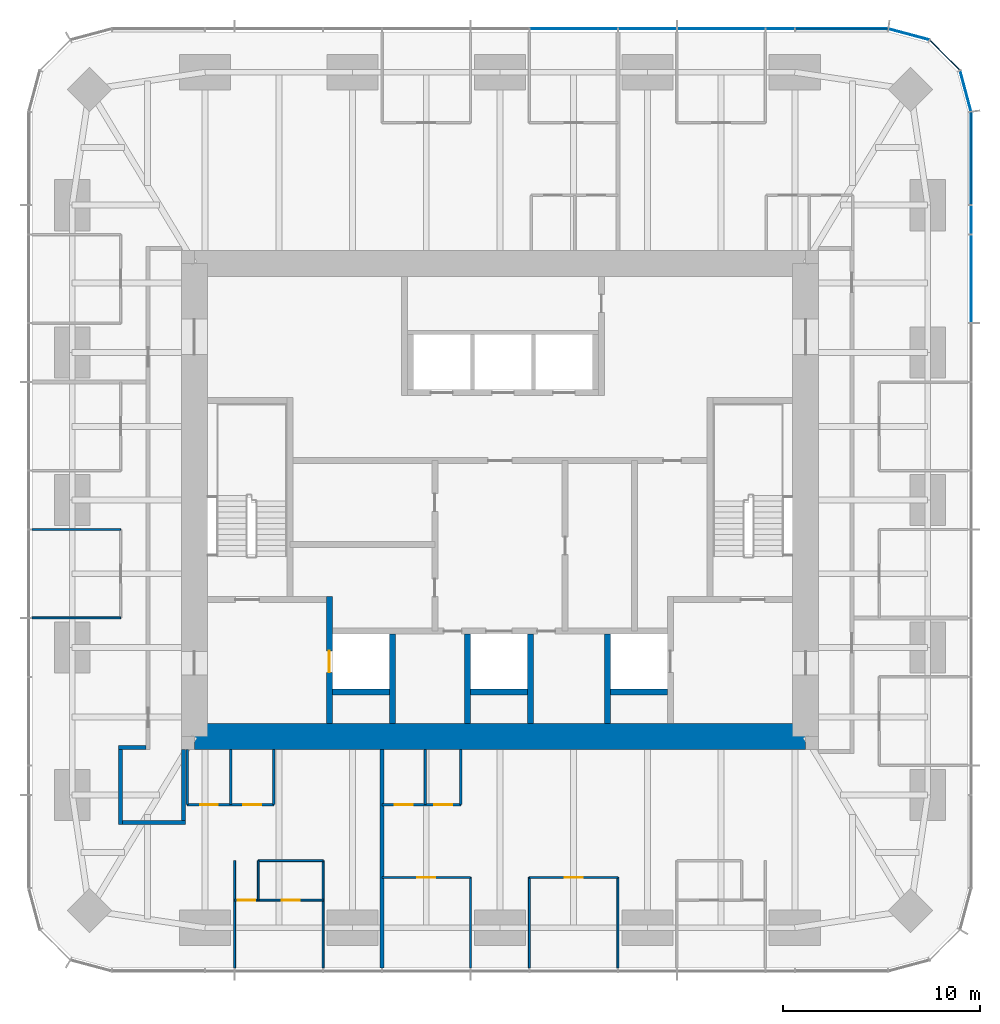
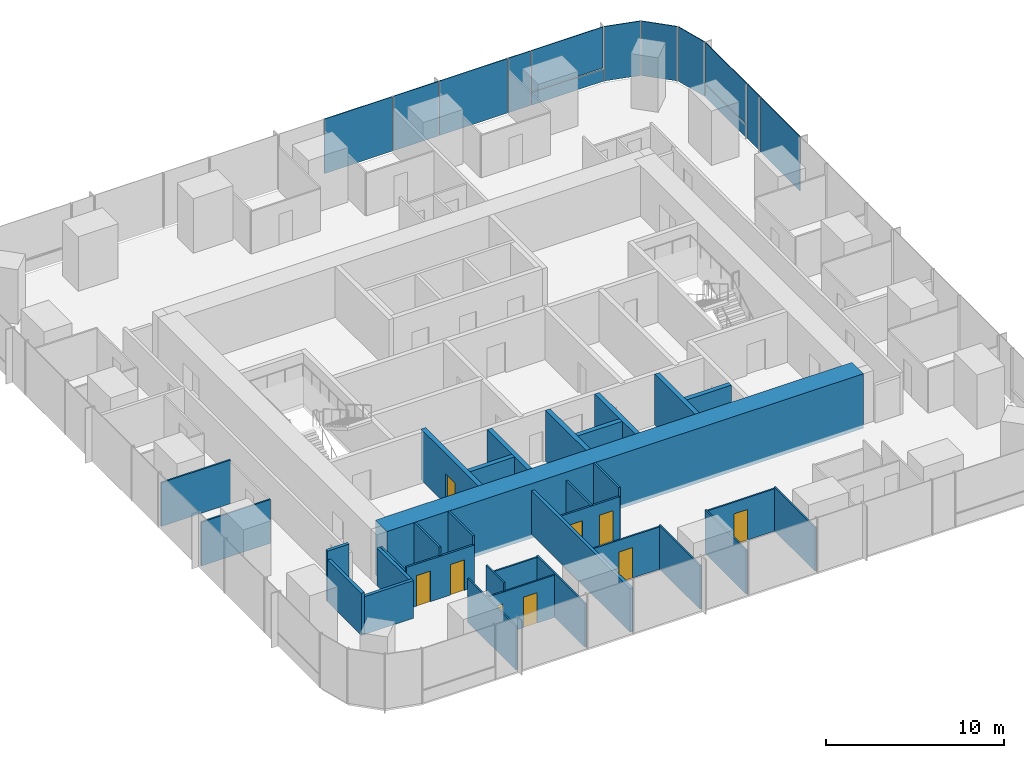
# One storey, part 8 of 12: 33 walls, 13 plates, 9 doors, 9 openings, 3 elements without a shape of their own.
"""IFC4 building model written with IfcOpenShell, lengths in metres."""

from ifc_helpers import new_model, si_unit, direction, frame, frame_2d, origin, origin_2d, place, context, subcontext, project, spatial, rectangle, extrude, material, layer, layer_set, type_object, element, fill, aggregate, save


model = new_model("IFC4")

# Units and contexts
model_context = context("Model", 3, precision=1e-05, world=origin(), true_north=direction((0.0, 1.0)))
body_context = subcontext(model_context, "Body", "Model", "MODEL_VIEW")
ifc_project = project(units=[si_unit("LENGTHUNIT", "METRE"), si_unit("AREAUNIT", "SQUARE_METRE"), si_unit("VOLUMEUNIT", "CUBIC_METRE"), si_unit("PLANEANGLEUNIT", "RADIAN"), si_unit("MASSUNIT", "GRAM", prefix="KILO")], contexts=[model_context])

# Site, building, storey
site_placement = place(None, origin())
site = spatial("IfcSite", under=ifc_project, at=site_placement, CompositionType="ELEMENT")
building_placement = place(site_placement, origin())
building = spatial("IfcBuilding", under=site, at=building_placement, Name="Khuree Lantern Residences", CompositionType="ELEMENT")
storey_placement = place(building_placement, frame((0.0, 0.0, 293.25)))
storey = spatial("IfcBuildingStorey", under=building, at=storey_placement, Name="L73", CompositionType="ELEMENT", Elevation=293.25)

# Curtain wall, plates
ifc_material_1 = material(Name="Bronze anodised aluminium", Category="aluminium")
curtain_wall_type_1 = type_object("IfcCurtainWallType", Name="CW-T2 TOWER CORNER CURTAIN WALL", PredefinedType="USERDEFINED", material=ifc_material_1)
curtain_wall_1_placement = place(storey_placement, origin())
curtain_wall_1 = element("IfcCurtainWall", 1, at=curtain_wall_1_placement, inside=storey, type_object=curtain_wall_type_1, Name="L73 NORTH-EAST CORNER CURTAIN WALL", ObjectType="Faceted corner curtain wall", PredefinedType="USERDEFINED")
ifc_material_2 = material(Name="Bronze tinted triple glazing", Category="glass")
ifc_layer_1 = layer(ifc_material_2, 0.048095703125)
ifc_layer_set_1 = layer_set([ifc_layer_1], Name="FACET PANEL P4")
plate_type_1 = type_object("IfcPlateType", Name="FACET PANEL P4", PredefinedType="CURTAIN_PANEL", material=ifc_layer_set_1)
plate_1_placement = place(storey_placement, frame((23.619140625, 20.748046875, 0.0), z_axis=(0.0, 0.0, 1.0), x_axis=(-0.2588189146, 0.965925861257, 0.0)))
plate_1 = element("IfcPlate", 2, at=plate_1_placement, type_object=plate_type_1, Name="L73 NORTH-EAST CORNER PANEL 15.1", PredefinedType="CURTAIN_PANEL", context=body_context, shape_type="SweptSolid", body=[
    extrude(rectangle(XDim=2.09814453125, YDim=0.048095703125, at=origin_2d()), origin(), (0.0, 0.0, 1.0), 3.75),
])
plate_2_placement = place(storey_placement, frame((22.568603515625, 22.568603515625, 0.0), z_axis=(0.0, 0.0, 1.0), x_axis=(-0.707106781187, 0.707106781187, 0.0)))
plate_2 = element("IfcPlate", 3, at=plate_2_placement, type_object=plate_type_1, Name="L73 NORTH-EAST CORNER PANEL 16.1", PredefinedType="CURTAIN_PANEL", context=body_context, shape_type="SweptSolid", body=[
    extrude(rectangle(XDim=2.093994140625, YDim=0.048095703125, at=origin_2d()), origin(), (0.0, 0.0, 1.0), 3.75),
])
plate_3_placement = place(storey_placement, frame((20.748046875, 23.619140625, 0.0), z_axis=(0.0, 0.0, 1.0), x_axis=(-0.965925861257, 0.2588189146, 0.0)))
plate_3 = element("IfcPlate", 4, at=plate_3_placement, type_object=plate_type_1, Name="L73 NORTH-EAST CORNER PANEL 17.1", PredefinedType="CURTAIN_PANEL", context=body_context, shape_type="SweptSolid", body=[
    extrude(rectangle(XDim=2.09814453125, YDim=0.048095703125, at=origin_2d()), origin(), (0.0, 0.0, 1.0), 3.75),
])
aggregate(curtain_wall_1, [plate_1, plate_2, plate_3])

# Curtain wall, plate
curtain_wall_type_2 = type_object("IfcCurtainWallType", Name="CW-T1 TOWER FACE CURTAIN WALL", PredefinedType="USERDEFINED", material=ifc_material_1)
curtain_wall_2_placement = place(storey_placement, origin())
curtain_wall_2 = element("IfcCurtainWall", 5, at=curtain_wall_2_placement, inside=storey, type_object=curtain_wall_type_2, Name="L73 EAST FACE CURTAIN WALL", ObjectType="Stick-built curtain wall", PredefinedType="USERDEFINED")
ifc_material_3 = material(Name="Bronze tinted triple glazing with a ceramic-fritted spandrel band", Category="glass")
ifc_layer_2 = layer(ifc_material_3, 0.048095703125)
ifc_layer_set_2 = layer_set([ifc_layer_2], Name="FIXED LIGHT PANEL P11")
plate_type_2 = type_object("IfcPlateType", Name="FIXED LIGHT PANEL P11", PredefinedType="CURTAIN_PANEL", material=ifc_layer_set_2)
plate_4_placement = place(storey_placement, frame((23.89990234375, 11.219970703125, 0.0), z_axis=(0.0, 0.0, 1.0), x_axis=(0.0, 1.0, 0.0)))
plate_4 = element("IfcPlate", 6, at=plate_4_placement, type_object=plate_type_2, Name="L73 EAST FACE PANEL 12.1", PredefinedType="CURTAIN_PANEL", context=body_context, shape_type="SweptSolid", body=[
    extrude(rectangle(XDim=4.423095703125, YDim=0.048095703125, at=origin_2d()), origin(), (0.0, 0.0, 1.0), 3.75),
])

# Curtain wall, plates
curtain_wall_3_placement = place(storey_placement, origin())
curtain_wall_3 = element("IfcCurtainWall", 7, at=curtain_wall_3_placement, inside=storey, type_object=curtain_wall_type_2, Name="L73 NORTH FACE CURTAIN WALL", ObjectType="Stick-built curtain wall", PredefinedType="USERDEFINED")
plate_5_placement = place(storey_placement, frame((11.219970703125, 23.89990234375, 0.0), z_axis=(0.0, 0.0, 1.0), x_axis=(-1.0, 0.0, 0.0)))
plate_5 = element("IfcPlate", 8, at=plate_5_placement, type_object=plate_type_2, Name="L73 NORTH FACE PANEL 20.1", PredefinedType="CURTAIN_PANEL", context=body_context, shape_type="SweptSolid", body=[
    extrude(rectangle(XDim=4.423095703125, YDim=0.048095703125, at=origin_2d()), origin(), (0.0, 0.0, 1.0), 3.75),
])
plate_6_placement = place(storey_placement, frame((3.739990234375, 23.89990234375, 0.0), z_axis=(0.0, 0.0, 1.0), x_axis=(-1.0, 0.0, 0.0)))
plate_6 = element("IfcPlate", 9, at=plate_6_placement, type_object=plate_type_2, Name="L73 NORTH FACE PANEL 22.1", PredefinedType="CURTAIN_PANEL", context=body_context, shape_type="SweptSolid", body=[
    extrude(rectangle(XDim=4.423095703125, YDim=0.048095703125, at=origin_2d()), origin(), (0.0, 0.0, 1.0), 3.75),
])
ifc_material_4 = material(Name="Bronze tinted triple glazing, two aluminium-framed sashes in one frame", Category="aluminium")
ifc_layer_3 = layer(ifc_material_4, 0.048095703125)
ifc_layer_set_3 = layer_set([ifc_layer_3], Name="SASH PAIR PANEL P12")
plate_type_3 = type_object("IfcPlateType", Name="SASH PAIR PANEL P12", PredefinedType="CURTAIN_PANEL", material=ifc_layer_set_3)
plate_7_placement = place(storey_placement, frame((7.47998046875, 23.89990234375, 0.0), z_axis=(0.0, 0.0, 1.0), x_axis=(-1.0, 0.0, 0.0)))
plate_7 = element("IfcPlate", 10, at=plate_7_placement, type_object=plate_type_3, Name="L73 NORTH FACE PANEL 21.1", PredefinedType="CURTAIN_PANEL", context=body_context, shape_type="SweptSolid", body=[
    extrude(rectangle(XDim=2.927001953125, YDim=0.048095703125, at=origin_2d()), origin(), (0.0, 0.0, 1.0), 3.75),
])

# Plate
ifc_material_5 = material(Name="Bronze tinted triple glazing, aluminium-framed sash", Category="aluminium")
ifc_layer_4 = layer(ifc_material_5, 0.048095703125)
ifc_layer_set_4 = layer_set([ifc_layer_4], Name="SASH PANEL P3")
plate_type_4 = type_object("IfcPlateType", Name="SASH PANEL P3", PredefinedType="CURTAIN_PANEL", material=ifc_layer_set_4)
plate_8_placement = place(storey_placement, frame((23.89990234375, 14.2119140625, 0.0), z_axis=(0.0, 0.0, 1.0), x_axis=(0.0, 1.0, 0.0)))
plate_8 = element("IfcPlate", 11, at=plate_8_placement, type_object=plate_type_4, Name="L73 EAST FACE PANEL 13.1", PredefinedType="CURTAIN_PANEL", context=body_context, shape_type="SweptSolid", body=[
    extrude(rectangle(XDim=1.430908203125, YDim=0.048095703125, at=origin_2d()), origin(), (0.0, 0.0, 1.0), 3.75),
])

plate_9_placement = place(storey_placement, frame((14.2119140625, 23.89990234375, 0.0), z_axis=(0.0, 0.0, 1.0), x_axis=(-1.0, 0.0, 0.0)))
plate_9 = element("IfcPlate", 12, at=plate_9_placement, type_object=plate_type_4, Name="L73 NORTH FACE PANEL 19.1", PredefinedType="CURTAIN_PANEL", context=body_context, shape_type="SweptSolid", body=[
    extrude(rectangle(XDim=1.430908203125, YDim=0.048095703125, at=origin_2d()), origin(), (0.0, 0.0, 1.0), 3.75),
])

ifc_material_6 = material(Name="Bronze anodised aluminium insulated spandrel", Category="aluminium")
ifc_layer_5 = layer(ifc_material_6, 0.06005859375)
ifc_layer_set_5 = layer_set([ifc_layer_5], Name="SPANDREL PANEL P2")
plate_type_5 = type_object("IfcPlateType", Name="SPANDREL PANEL P2", PredefinedType="CURTAIN_PANEL", material=ifc_layer_set_5)
plate_10_placement = place(storey_placement, frame((23.89990234375, 17.327880859375, 0.0), z_axis=(0.0, 0.0, 1.0), x_axis=(0.0, 1.0, 0.0)))
plate_10 = element("IfcPlate", 13, at=plate_10_placement, type_object=plate_type_5, Name="L73 EAST FACE PANEL 14.1", PredefinedType="CURTAIN_PANEL", context=body_context, shape_type="SweptSolid", body=[
    extrude(rectangle(XDim=4.670654296875, YDim=0.06005859375, at=origin_2d()), origin(), (0.0, 0.0, 1.0), 0.867431640625),
])

plate_11_placement = place(storey_placement, frame((17.327880859375, 23.89990234375, 0.0), z_axis=(0.0, 0.0, 1.0), x_axis=(-1.0, 0.0, 0.0)))
plate_11 = element("IfcPlate", 14, at=plate_11_placement, type_object=plate_type_5, Name="L73 NORTH FACE PANEL 18.1", PredefinedType="CURTAIN_PANEL", context=body_context, shape_type="SweptSolid", body=[
    extrude(rectangle(XDim=4.670654296875, YDim=0.06005859375, at=origin_2d()), origin(), (0.0, 0.0, 1.0), 0.867431640625),
])

ifc_layer_6 = layer(ifc_material_2, 0.048095703125)
ifc_layer_set_6 = layer_set([ifc_layer_6], Name="VISION PANEL P1")
plate_type_6 = type_object("IfcPlateType", Name="VISION PANEL P1", PredefinedType="CURTAIN_PANEL", material=ifc_layer_set_6)
plate_12_placement = place(storey_placement, frame((23.89990234375, 17.328369140625, 0.9326171875), z_axis=(0.0, 0.0, 1.0), x_axis=(0.0, 1.0, 0.0)))
plate_12 = element("IfcPlate", 15, at=plate_12_placement, type_object=plate_type_6, Name="L73 EAST FACE PANEL 14.2", PredefinedType="CURTAIN_PANEL", context=body_context, shape_type="SweptSolid", body=[
    extrude(rectangle(XDim=4.671630859375, YDim=0.048095703125, at=origin_2d()), origin(), (0.0, 0.0, 1.0), 2.8173828125),
])

aggregate(curtain_wall_2, [plate_4, plate_8, plate_10, plate_12])

plate_13_placement = place(storey_placement, frame((17.328369140625, 23.89990234375, 0.9326171875), z_axis=(0.0, 0.0, 1.0), x_axis=(-1.0, 0.0, 0.0)))
plate_13 = element("IfcPlate", 16, at=plate_13_placement, type_object=plate_type_6, Name="L73 NORTH FACE PANEL 18.2", PredefinedType="CURTAIN_PANEL", context=body_context, shape_type="SweptSolid", body=[
    extrude(rectangle(XDim=4.671630859375, YDim=0.048095703125, at=origin_2d()), origin(), (0.0, 0.0, 1.0), 2.8173828125),
])

aggregate(curtain_wall_3, [plate_11, plate_13, plate_9, plate_5, plate_7, plate_6])

# Wall, openings, doors
ifc_material_7 = material(Name="Moisture-resistant gypsum board on steel studs", Category="steel")
ifc_layer_7 = layer(ifc_material_7, 0.125)
ifc_layer_set_7 = layer_set([ifc_layer_7], Name="BATHROOM WALL BTW125")
wall_type_1 = type_object("IfcWallType", Name="BATHROOM WALL BTW125", PredefinedType="PARTITIONING", material=ifc_layer_set_7)
wall_1_placement = place(storey_placement, frame((-15.866455078125, -15.449951171875, 0.0), z_axis=(0.0, 0.0, 1.0), x_axis=(1.0, 0.0, 0.0)))
wall_1 = element("IfcWall", 17, at=wall_1_placement, inside=storey, type_object=wall_type_1, Name="L73 BATHROOM WALL 03", PredefinedType="PARTITIONING", context=body_context, shape_type="SweptSolid", body=[
    extrude(rectangle(XDim=4.39990234375, YDim=0.125, at=frame_2d((2.199951171875, 0.0))), origin(), (0.0, 0.0, 1.0), 2.89990234375),
])
opening_1_placement = place(wall_1_placement, frame((0.64990234375, 0.0, 0.0)))
opening_1 = element("IfcOpeningElement", 18, at=opening_1_placement, cuts=wall_1, Name="Opening 73-037", PredefinedType="OPENING", context=body_context, shape_type="SweptSolid", body=[
    extrude(rectangle(XDim=0.89990234375, YDim=2.10009765625, at=frame_2d((0.449951171875, 1.050048828125))), frame((0.0, 0.072509765625, 0.0), z_axis=(0.0, -1.0, 0.0), x_axis=(1.0, 0.0, 0.0)), (0.0, 0.0, 1.0), 0.14501953125),
])
opening_2_placement = place(wall_1_placement, frame((2.85009765625, 0.0, 0.0)))
opening_2 = element("IfcOpeningElement", 19, at=opening_2_placement, cuts=wall_1, Name="Opening 73-038", PredefinedType="OPENING", context=body_context, shape_type="SweptSolid", body=[
    extrude(rectangle(XDim=0.89990234375, YDim=2.10009765625, at=frame_2d((0.449951171875, 1.050048828125))), frame((0.0, 0.072509765625, 0.0), z_axis=(0.0, -1.0, 0.0), x_axis=(1.0, 0.0, 0.0)), (0.0, 0.0, 1.0), 0.14501953125),
])
ifc_material_8 = material(Name="Timber door leaf in hardwood frame", Category="wood")
door_type_1 = type_object("IfcDoorType", Name="BATHROOM DOOR 900X2100", OperationType="SINGLE_SWING_LEFT", PredefinedType="DOOR", material=ifc_material_8)
door_1_placement = place(opening_1_placement, origin())
door_1 = element("IfcDoor", 20, at=door_1_placement, inside=storey, type_object=door_type_1, Name="Bathroom door 73-037", OperationType="SINGLE_SWING_LEFT", OverallHeight=2.10009765625, OverallWidth=0.89990234375, PredefinedType="DOOR", context=body_context, shape_type="SweptSolid", body=[
    extrude(rectangle(XDim=0.89990234375, YDim=2.10009765625, at=frame_2d((0.449951171875, 1.050048828125))), frame((0.0, 0.02490234375, 0.0), z_axis=(0.0, -1.0, 0.0), x_axis=(1.0, 0.0, 0.0)), (0.0, 0.0, 1.0), 0.050048828125),
])
fill(opening_1, door_1)
door_2_placement = place(opening_2_placement, origin())
door_2 = element("IfcDoor", 21, at=door_2_placement, inside=storey, type_object=door_type_1, Name="Bathroom door 73-038", OperationType="SINGLE_SWING_LEFT", OverallHeight=2.10009765625, OverallWidth=0.89990234375, PredefinedType="DOOR", context=body_context, shape_type="SweptSolid", body=[
    extrude(rectangle(XDim=0.89990234375, YDim=2.10009765625, at=frame_2d((0.449951171875, 1.050048828125))), frame((0.0, 0.02490234375, 0.0), z_axis=(0.0, -1.0, 0.0), x_axis=(1.0, 0.0, 0.0)), (0.0, 0.0, 1.0), 0.050048828125),
])
fill(opening_2, door_2)

# Walls
wall_2_placement = place(storey_placement, frame((-15.866455078125, -12.64990234375, 0.0), z_axis=(0.0, 0.0, 1.0), x_axis=(0.0, -1.0, 0.0)))
element("IfcWall", 22, at=wall_2_placement, inside=storey, type_object=wall_type_1, Name="L73 BATHROOM WALL 03", PredefinedType="PARTITIONING", context=body_context, shape_type="SweptSolid", body=[
    extrude(rectangle(XDim=2.800048828125, YDim=0.125, at=frame_2d((1.39990234375, 0.0))), origin(), (0.0, 0.0, 1.0), 2.60009765625),
])
for number, where, z_axis, x_axis, name in (
    (23, (-13.66650390625, -12.64990234375, 0.0), (0.0, 0.0, 1.0), (0.0, -1.0, 0.0), "L73 BATHROOM WALL 03"),
    (24, (-11.466552734375, -12.64990234375, 0.0), (0.0, 0.0, 1.0), (0.0, -1.0, 0.0), "L73 BATHROOM WALL 03"),
):
    element("IfcWall", number, at=place(storey_placement, frame(where, z_axis=z_axis, x_axis=x_axis)), inside=storey, type_object=wall_type_1, Name=name, PredefinedType="PARTITIONING", context=body_context, shape_type="SweptSolid", body=[
        extrude(rectangle(XDim=2.800048828125, YDim=0.125, at=frame_2d((1.39990234375, 0.0))), origin(), (0.0, 0.0, 1.0), 3.5),
    ])

# Wall, openings, doors
wall_3_placement = place(storey_placement, frame((-5.98388671875, -15.449951171875, 0.0), z_axis=(0.0, 0.0, 1.0), x_axis=(1.0, 0.0, 0.0)))
wall_3 = element("IfcWall", 25, at=wall_3_placement, inside=storey, type_object=wall_type_1, Name="L73 BATHROOM WALL 04", PredefinedType="PARTITIONING", context=body_context, shape_type="SweptSolid", body=[
    extrude(rectangle(XDim=4.0, YDim=0.125, at=frame_2d((2.0, 0.0))), origin(), (0.0, 0.0, 1.0), 2.909912109375),
])
opening_3_placement = place(wall_3_placement, frame((0.64990234375, 0.0, 0.0)))
opening_3 = element("IfcOpeningElement", 26, at=opening_3_placement, cuts=wall_3, Name="Opening 73-045", PredefinedType="OPENING", context=body_context, shape_type="SweptSolid", body=[
    extrude(rectangle(XDim=0.89990234375, YDim=2.10009765625, at=frame_2d((0.449951171875, 1.050048828125))), frame((0.0, 0.072509765625, 0.0), z_axis=(0.0, -1.0, 0.0), x_axis=(1.0, 0.0, 0.0)), (0.0, 0.0, 1.0), 0.14501953125),
])
opening_4_placement = place(wall_3_placement, frame((2.64990234375, 0.0, 0.0)))
opening_4 = element("IfcOpeningElement", 27, at=opening_4_placement, cuts=wall_3, Name="Opening 73-046", PredefinedType="OPENING", context=body_context, shape_type="SweptSolid", body=[
    extrude(rectangle(XDim=0.89990234375, YDim=2.10009765625, at=frame_2d((0.449951171875, 1.050048828125))), frame((0.0, 0.072509765625, 0.0), z_axis=(0.0, -1.0, 0.0), x_axis=(1.0, 0.0, 0.0)), (0.0, 0.0, 1.0), 0.14501953125),
])
door_3_placement = place(opening_3_placement, origin())
door_3 = element("IfcDoor", 28, at=door_3_placement, inside=storey, type_object=door_type_1, Name="Bathroom door 73-045", OperationType="SINGLE_SWING_LEFT", OverallHeight=2.10009765625, OverallWidth=0.89990234375, PredefinedType="DOOR", context=body_context, shape_type="SweptSolid", body=[
    extrude(rectangle(XDim=0.89990234375, YDim=2.10009765625, at=frame_2d((0.449951171875, 1.050048828125))), frame((0.0, 0.02490234375, 0.0), z_axis=(0.0, -1.0, 0.0), x_axis=(1.0, 0.0, 0.0)), (0.0, 0.0, 1.0), 0.050048828125),
])
fill(opening_3, door_3)
door_type_2 = type_object("IfcDoorType", Name="DOOR 900X2100", OperationType="SINGLE_SWING_LEFT", PredefinedType="DOOR", material=ifc_material_8)
door_4_placement = place(opening_4_placement, origin())
door_4 = element("IfcDoor", 29, at=door_4_placement, inside=storey, type_object=door_type_2, Name="Store door 73-046", OperationType="SINGLE_SWING_LEFT", OverallHeight=2.10009765625, OverallWidth=0.89990234375, PredefinedType="DOOR", context=body_context, shape_type="SweptSolid", body=[
    extrude(rectangle(XDim=0.89990234375, YDim=2.10009765625, at=frame_2d((0.449951171875, 1.050048828125))), frame((0.0, 0.02490234375, 0.0), z_axis=(0.0, -1.0, 0.0), x_axis=(1.0, 0.0, 0.0)), (0.0, 0.0, 1.0), 0.050048828125),
])
fill(opening_4, door_4)

# Walls
wall_4_placement = place(storey_placement, frame((-3.783935546875, -12.64990234375, 0.0), z_axis=(0.0, 0.0, 1.0), x_axis=(0.0, -1.0, 0.0)))
element("IfcWall", 30, at=wall_4_placement, inside=storey, type_object=wall_type_1, Name="L73 BATHROOM WALL 04", PredefinedType="PARTITIONING", context=body_context, shape_type="SweptSolid", body=[
    extrude(rectangle(XDim=2.800048828125, YDim=0.125, at=frame_2d((1.39990234375, 0.0))), origin(), (0.0, 0.0, 1.0), 2.909912109375),
])
wall_5_placement = place(storey_placement, frame((-1.98388671875, -12.64990234375, 0.0), z_axis=(0.0, 0.0, 1.0), x_axis=(0.0, -1.0, 0.0)))
element("IfcWall", 31, at=wall_5_placement, inside=storey, type_object=wall_type_1, Name="L73 BATHROOM WALL 04", PredefinedType="PARTITIONING", context=body_context, shape_type="SweptSolid", body=[
    extrude(rectangle(XDim=2.800048828125, YDim=0.125, at=frame_2d((1.39990234375, 0.0))), origin(), (0.0, 0.0, 1.0), 3.5),
])

# Wall, opening, door
ifc_material_9 = material(Name="Dense concrete blockwork", Category="masonry")
ifc_layer_8 = layer(ifc_material_9, 0.300048828125)
ifc_layer_set_8 = layer_set([ifc_layer_8], Name="CORE PARTITION WALL CPW300 EI 120")
wall_type_2 = type_object("IfcWallType", Name="CORE PARTITION WALL CPW300 EI 120", PredefinedType="PARTITIONING", material=ifc_layer_set_8)
wall_6_placement = place(storey_placement, frame((-8.64990234375, -11.35009765625, 0.0), z_axis=(0.0, 0.0, 1.0), x_axis=(0.0, 1.0, 0.0)))
wall_6 = element("IfcWall", 32, at=wall_6_placement, inside=storey, type_object=wall_type_2, Name="L73 CORE WALL FL1W", PredefinedType="PARTITIONING", context=body_context, shape_type="SweptSolid", body=[
    extrude(rectangle(XDim=6.4501953125, YDim=0.300048828125, at=frame_2d((3.22509765625, 0.0))), origin(), (0.0, 0.0, 1.0), 3.5),
])
opening_5_placement = place(wall_6_placement, frame((2.60009765625, 0.0, 0.0)))
opening_5 = element("IfcOpeningElement", 33, at=opening_5_placement, cuts=wall_6, Name="Opening 73-007", PredefinedType="OPENING", context=body_context, shape_type="SweptSolid", body=[
    extrude(rectangle(XDim=1.10009765625, YDim=2.10009765625, at=frame_2d((0.550048828125, 1.050048828125))), frame((0.0, 0.16015625, 0.0), z_axis=(0.0, -1.0, 0.0), x_axis=(1.0, 0.0, 0.0)), (0.0, 0.0, 1.0), 0.320068359375),
])
ifc_material_10 = material(Name="Stainless steel lift landing door", Category="steel")
door_type_3 = type_object("IfcDoorType", Name="LIFT LANDING DOOR 1100X2100 E 120", OperationType="DOUBLE_DOOR_SLIDING", PredefinedType="DOOR", material=ifc_material_10)
door_5_placement = place(opening_5_placement, origin())
door_5 = element("IfcDoor", 34, at=door_5_placement, inside=storey, type_object=door_type_3, Name="Landing door FL1 73-007", OperationType="DOUBLE_DOOR_SLIDING", OverallHeight=2.10009765625, OverallWidth=1.10009765625, PredefinedType="DOOR", context=body_context, shape_type="SweptSolid", body=[
    extrude(rectangle(XDim=1.10009765625, YDim=2.10009765625, at=frame_2d((0.550048828125, 1.050048828125))), frame((0.0, 0.02490234375, 0.0), z_axis=(0.0, -1.0, 0.0), x_axis=(1.0, 0.0, 0.0)), (0.0, 0.0, 1.0), 0.050048828125),
])
fill(opening_5, door_5)

# Walls
for number, where, z_axis, x_axis, name in (
    (35, (-5.449951171875, -11.35009765625, 0.0), (0.0, 0.0, 1.0), (0.0, 1.0, 0.0), "L73 CORE WALL FL1E"),
    (36, (-1.64990234375, -11.35009765625, 0.0), (0.0, 0.0, 1.0), (0.0, 1.0, 0.0), "L73 CORE WALL SL1W"),
    (37, (1.550048828125, -11.35009765625, 0.0), (0.0, 0.0, 1.0), (0.0, 1.0, 0.0), "L73 CORE WALL SL1E"),
    (38, (5.449951171875, -11.35009765625, 0.0), (0.0, 0.0, 1.0), (0.0, 1.0, 0.0), "L73 CORE WALL FL2W"),
):
    element("IfcWall", number, at=place(storey_placement, frame(where, z_axis=z_axis, x_axis=x_axis)), inside=storey, type_object=wall_type_2, Name=name, PredefinedType="PARTITIONING", context=body_context, shape_type="SweptSolid", body=[
        extrude(rectangle(XDim=4.550048828125, YDim=0.300048828125, at=frame_2d((2.27490234375, 0.0))), origin(), (0.0, 0.0, 1.0), 3.5),
    ])
for number, where, z_axis, x_axis, name in (
    (39, (-8.5, -9.75, 0.0), (0.0, 0.0, 1.0), (1.0, 0.0, 0.0), "L73 CORE WALL FL1S"),
    (40, (-1.5, -9.75, 0.0), (0.0, 0.0, 1.0), (1.0, 0.0, 0.0), "L73 CORE WALL SL1S"),
    (41, (5.60009765625, -9.75, 0.0), (0.0, 0.0, 1.0), (1.0, 0.0, 0.0), "L73 CORE WALL FL2S"),
):
    element("IfcWall", number, at=place(storey_placement, frame(where, z_axis=z_axis, x_axis=x_axis)), inside=storey, type_object=wall_type_2, Name=name, PredefinedType="PARTITIONING", context=body_context, shape_type="SweptSolid", body=[
        extrude(rectangle(XDim=2.89990234375, YDim=0.300048828125, at=frame_2d((1.449951171875, 0.0))), origin(), (0.0, 0.0, 1.0), 3.5),
    ])
ifc_material_11 = material(Name="Gypsum board on steel studs", Category="steel")
ifc_layer_9 = layer(ifc_material_11, 0.199951171875)
ifc_layer_set_9 = layer_set([ifc_layer_9], Name="CORRIDOR WALL CRW200 EI 60")
wall_type_3 = type_object("IfcWallType", Name="CORRIDOR WALL CRW200 EI 60", PredefinedType="PARTITIONING", material=ifc_layer_set_9)
wall_7_placement = place(storey_placement, frame((-17.949951171875, -12.550048828125, 0.0), z_axis=(0.0, 0.0, 1.0), x_axis=(-1.0, 0.0, 0.0)))
element("IfcWall", 42, at=wall_7_placement, inside=storey, type_object=wall_type_3, Name="L73 RESIDENTS LOUNGE WALL", PredefinedType="PARTITIONING", context=body_context, shape_type="SweptSolid", body=[
    extrude(rectangle(XDim=1.400146484375, YDim=0.199951171875, at=frame_2d((0.7001953125, 0.0))), origin(), (0.0, 0.0, 1.0), 3.5),
])
wall_8_placement = place(storey_placement, frame((-19.25, -12.449951171875, 0.0), z_axis=(0.0, 0.0, 1.0), x_axis=(0.0, -1.0, 0.0)))
element("IfcWall", 43, at=wall_8_placement, inside=storey, type_object=wall_type_3, Name="L73 RESIDENTS LOUNGE WALL", PredefinedType="PARTITIONING", context=body_context, shape_type="SweptSolid", body=[
    extrude(rectangle(XDim=4.0, YDim=0.199951171875, at=frame_2d((2.0, 0.0))), origin(), (0.0, 0.0, 1.0), 2.89990234375),
])
wall_9_placement = place(storey_placement, frame((-19.14990234375, -16.35009765625, 0.0), z_axis=(0.0, 0.0, 1.0), x_axis=(1.0, 0.0, 0.0)))
element("IfcWall", 44, at=wall_9_placement, inside=storey, type_object=wall_type_3, Name="L73 RESIDENTS LOUNGE WALL", PredefinedType="PARTITIONING", context=body_context, shape_type="SweptSolid", body=[
    extrude(rectangle(XDim=3.199951171875, YDim=0.199951171875, at=frame_2d((1.60009765625, 0.0))), origin(), (0.0, 0.0, 1.0), 2.60009765625),
])
wall_10_placement = place(storey_placement, frame((-16.050048828125, -16.449951171875, 0.0), z_axis=(0.0, 0.0, 1.0), x_axis=(0.0, 1.0, 0.0)))
element("IfcWall", 45, at=wall_10_placement, inside=storey, type_object=wall_type_3, Name="L73 RESIDENTS LOUNGE WALL", PredefinedType="PARTITIONING", context=body_context, shape_type="SweptSolid", body=[
    extrude(rectangle(XDim=3.800048828125, YDim=0.199951171875, at=frame_2d((1.89990234375, 0.0))), origin(), (0.0, 0.0, 1.0), 2.60009765625),
])
ifc_material_12 = material(Name="Concrete C50/60", Category="concrete")
ifc_layer_10 = layer(ifc_material_12, 1.300048828125)
ifc_layer_set_10 = layer_set([ifc_layer_10], Name="CW1300-C50 CORE WALL C50 1300")
wall_type_4 = type_object("IfcWallType", Name="CW1300-C50 CORE WALL C50 1300", PredefinedType="SHEAR", material=ifc_layer_set_10)
wall_11_placement = place(storey_placement, frame((-15.5, -12.0, -0.25), z_axis=(0.0, 0.0, 1.0), x_axis=(1.0, 0.0, 0.0)))
element("IfcWall", 46, at=wall_11_placement, inside=storey, type_object=wall_type_4, Name="Core wall S", PredefinedType="SHEAR", context=body_context, shape_type="SweptSolid", body=[
    extrude(rectangle(XDim=31.0, YDim=1.300048828125, at=frame_2d((15.5, 0.0))), origin(), (0.0, 0.0, 1.0), 3.75),
])
ifc_layer_11 = layer(ifc_material_11, 0.199951171875)
ifc_layer_set_11 = layer_set([ifc_layer_11], Name="DEMISING WALL DMW200 EI 90")
wall_type_5 = type_object("IfcWallType", Name="DEMISING WALL DMW200 EI 90", PredefinedType="PARTITIONING", material=ifc_layer_set_11)
wall_12_placement = place(storey_placement, frame((-5.98388671875, -12.64990234375, 0.0), z_axis=(0.0, 0.0, 1.0), x_axis=(0.0, -1.0, 0.0)))
element("IfcWall", 47, at=wall_12_placement, inside=storey, type_object=wall_type_5, Name="L73 DEMISING WALL 04", PredefinedType="PARTITIONING", context=body_context, shape_type="SweptSolid", body=[
    extrude(rectangle(XDim=11.10009765625, YDim=0.199951171875, at=frame_2d((5.550048828125, 0.0))), origin(), (0.0, 0.0, 1.0), 3.010009765625),
])
ifc_layer_12 = layer(ifc_material_11, 0.10009765625)
ifc_layer_set_12 = layer_set([ifc_layer_12], Name="PARTITION PT100")
wall_type_6 = type_object("IfcWallType", Name="PARTITION PT100", PredefinedType="PARTITIONING", material=ifc_layer_set_12)
for number, where, z_axis, x_axis, name in (
    (48, (-19.25, -1.49609375, 0.0), (0.0, 0.0, 1.0), (-1.0, 0.0, 0.0), "L73 PARTITION 03"),
    (49, (-19.25, -5.98388671875, 0.0), (0.0, 0.0, 1.0), (-1.0, 0.0, 0.0), "L73 PARTITION 03"),
):
    element("IfcWall", number, at=place(storey_placement, frame(where, z_axis=z_axis, x_axis=x_axis)), inside=storey, type_object=wall_type_6, Name=name, PredefinedType="PARTITIONING", context=body_context, shape_type="SweptSolid", body=[
        extrude(rectangle(XDim=4.5, YDim=0.10009765625, at=frame_2d((2.25, 0.0))), origin(), (0.0, 0.0, 1.0), 3.010009765625),
    ])
for number, where, z_axis, x_axis, name in (
    (50, (-13.464111328125, -18.29638671875, 0.0), (0.0, 0.0, 1.0), (0.0, -1.0, 0.0), "L73 PARTITION 03"),
    (51, (-8.97607421875, -18.29638671875, 0.0), (0.0, 0.0, 1.0), (0.0, -1.0, 0.0), "L73 PARTITION 03"),
):
    element("IfcWall", number, at=place(storey_placement, frame(where, z_axis=z_axis, x_axis=x_axis)), inside=storey, type_object=wall_type_6, Name=name, PredefinedType="PARTITIONING", context=body_context, shape_type="SweptSolid", body=[
        extrude(rectangle(XDim=5.45361328125, YDim=0.10009765625, at=frame_2d((2.726806640625, 0.0))), origin(), (0.0, 0.0, 1.0), 3.010009765625),
    ])
for number, where, z_axis, x_axis, name in (
    (52, (-1.49609375, -19.14990234375, 0.0), (0.0, 0.0, 1.0), (0.0, -1.0, 0.0), "L73 PARTITION 04"),
    (53, (1.49609375, -19.14990234375, 0.0), (0.0, 0.0, 1.0), (0.0, -1.0, 0.0), "L73 PARTITION 04"),
    (54, (5.98388671875, -19.14990234375, 0.0), (0.0, 0.0, 1.0), (0.0, -1.0, 0.0), "L73 PARTITION 04"),
):
    element("IfcWall", number, at=place(storey_placement, frame(where, z_axis=z_axis, x_axis=x_axis)), inside=storey, type_object=wall_type_6, Name=name, PredefinedType="PARTITIONING", context=body_context, shape_type="SweptSolid", body=[
        extrude(rectangle(XDim=4.60009765625, YDim=0.10009765625, at=frame_2d((2.300048828125, 0.0))), origin(), (0.0, 0.0, 1.0), 3.010009765625),
    ])

# Wall, openings, doors
wall_13_placement = place(storey_placement, frame((-13.464111328125, -20.29638671875, 0.0), z_axis=(0.0, 0.0, 1.0), x_axis=(1.0, 0.0, 0.0)))
wall_13 = element("IfcWall", 55, at=wall_13_placement, inside=storey, type_object=wall_type_6, Name="L73 PARTITION 03", PredefinedType="PARTITIONING", context=body_context, shape_type="SweptSolid", body=[
    extrude(rectangle(XDim=4.488037109375, YDim=0.10009765625, at=frame_2d((2.244140625, 0.0))), origin(), (0.0, 0.0, 1.0), 2.909912109375),
])
opening_6_placement = place(wall_13_placement, frame((0.14990234375, 0.0, 0.0)))
opening_6 = element("IfcOpeningElement", 56, at=opening_6_placement, cuts=wall_13, Name="Opening 73-035", PredefinedType="OPENING", context=body_context, shape_type="SweptSolid", body=[
    extrude(rectangle(XDim=0.89990234375, YDim=2.10009765625, at=frame_2d((0.449951171875, 1.050048828125))), frame((0.0, 0.06005859375, 0.0), z_axis=(0.0, -1.0, 0.0), x_axis=(1.0, 0.0, 0.0)), (0.0, 0.0, 1.0), 0.1201171875),
])
opening_7_placement = place(wall_13_placement, frame((2.39404296875, 0.0, 0.0)))
opening_7 = element("IfcOpeningElement", 57, at=opening_7_placement, cuts=wall_13, Name="Opening 73-036", PredefinedType="OPENING", context=body_context, shape_type="SweptSolid", body=[
    extrude(rectangle(XDim=0.89990234375, YDim=2.10009765625, at=frame_2d((0.449951171875, 1.050048828125))), frame((0.0, 0.06005859375, 0.0), z_axis=(0.0, -1.0, 0.0), x_axis=(1.0, 0.0, 0.0)), (0.0, 0.0, 1.0), 0.1201171875),
])
door_type_4 = type_object("IfcDoorType", Name="BEDROOM DOOR 900X2100", OperationType="SINGLE_SWING_LEFT", PredefinedType="DOOR", material=ifc_material_8)
door_6_placement = place(opening_6_placement, origin())
door_6 = element("IfcDoor", 58, at=door_6_placement, inside=storey, type_object=door_type_4, Name="Bedroom door 73-035", OperationType="SINGLE_SWING_LEFT", OverallHeight=2.10009765625, OverallWidth=0.89990234375, PredefinedType="DOOR", context=body_context, shape_type="SweptSolid", body=[
    extrude(rectangle(XDim=0.89990234375, YDim=2.10009765625, at=frame_2d((0.449951171875, 1.050048828125))), frame((0.0, 0.02490234375, 0.0), z_axis=(0.0, -1.0, 0.0), x_axis=(1.0, 0.0, 0.0)), (0.0, 0.0, 1.0), 0.050048828125),
])
fill(opening_6, door_6)
door_7_placement = place(opening_7_placement, origin())
door_7 = element("IfcDoor", 59, at=door_7_placement, inside=storey, type_object=door_type_2, Name="Wardrobe door 73-036", OperationType="SINGLE_SWING_LEFT", OverallHeight=2.10009765625, OverallWidth=0.89990234375, PredefinedType="DOOR", context=body_context, shape_type="SweptSolid", body=[
    extrude(rectangle(XDim=0.89990234375, YDim=2.10009765625, at=frame_2d((0.449951171875, 1.050048828125))), frame((0.0, 0.02490234375, 0.0), z_axis=(0.0, -1.0, 0.0), x_axis=(1.0, 0.0, 0.0)), (0.0, 0.0, 1.0), 0.050048828125),
])
fill(opening_7, door_7)

# Walls
wall_14_placement = place(storey_placement, frame((-12.263916015625, -18.29638671875, 0.0), z_axis=(0.0, 0.0, 1.0), x_axis=(0.0, -1.0, 0.0)))
element("IfcWall", 60, at=wall_14_placement, inside=storey, type_object=wall_type_6, Name="L73 PARTITION 03", PredefinedType="PARTITIONING", context=body_context, shape_type="SweptSolid", body=[
    extrude(rectangle(XDim=2.0, YDim=0.10009765625, at=frame_2d((1.0, 0.0))), origin(), (0.0, 0.0, 1.0), 3.5),
])
wall_15_placement = place(storey_placement, frame((-12.263916015625, -18.29638671875, 0.0), z_axis=(0.0, 0.0, 1.0), x_axis=(1.0, 0.0, 0.0)))
element("IfcWall", 61, at=wall_15_placement, inside=storey, type_object=wall_type_6, Name="L73 PARTITION 03", PredefinedType="PARTITIONING", context=body_context, shape_type="SweptSolid", body=[
    extrude(rectangle(XDim=3.287841796875, YDim=0.10009765625, at=frame_2d((1.64404296875, 0.0))), origin(), (0.0, 0.0, 1.0), 2.909912109375),
])

# Wall, opening, door
wall_16_placement = place(storey_placement, frame((-5.98388671875, -19.14990234375, 0.0), z_axis=(0.0, 0.0, 1.0), x_axis=(1.0, 0.0, 0.0)))
wall_16 = element("IfcWall", 62, at=wall_16_placement, inside=storey, type_object=wall_type_6, Name="L73 PARTITION 04", PredefinedType="PARTITIONING", context=body_context, shape_type="SweptSolid", body=[
    extrude(rectangle(XDim=4.48779296875, YDim=0.10009765625, at=frame_2d((2.243896484375, 0.0))), origin(), (0.0, 0.0, 1.0), 2.909912109375),
])
opening_8_placement = place(wall_16_placement, frame((1.7939453125, 0.0, 0.0)))
opening_8 = element("IfcOpeningElement", 63, at=opening_8_placement, cuts=wall_16, Name="Opening 73-040", PredefinedType="OPENING", context=body_context, shape_type="SweptSolid", body=[
    extrude(rectangle(XDim=0.89990234375, YDim=2.10009765625, at=frame_2d((0.449951171875, 1.050048828125))), frame((0.0, 0.06005859375, 0.0), z_axis=(0.0, -1.0, 0.0), x_axis=(1.0, 0.0, 0.0)), (0.0, 0.0, 1.0), 0.1201171875),
])
door_8_placement = place(opening_8_placement, origin())
door_8 = element("IfcDoor", 64, at=door_8_placement, inside=storey, type_object=door_type_4, Name="Bedroom door 73-040", OperationType="SINGLE_SWING_LEFT", OverallHeight=2.10009765625, OverallWidth=0.89990234375, PredefinedType="DOOR", context=body_context, shape_type="SweptSolid", body=[
    extrude(rectangle(XDim=0.89990234375, YDim=2.10009765625, at=frame_2d((0.449951171875, 1.050048828125))), frame((0.0, 0.02490234375, 0.0), z_axis=(0.0, -1.0, 0.0), x_axis=(1.0, 0.0, 0.0)), (0.0, 0.0, 1.0), 0.050048828125),
])
fill(opening_8, door_8)

wall_17_placement = place(storey_placement, frame((1.49609375, -19.14990234375, 0.0), z_axis=(0.0, 0.0, 1.0), x_axis=(1.0, 0.0, 0.0)))
wall_17 = element("IfcWall", 65, at=wall_17_placement, inside=storey, type_object=wall_type_6, Name="L73 PARTITION 04", PredefinedType="PARTITIONING", context=body_context, shape_type="SweptSolid", body=[
    extrude(rectangle(XDim=4.48779296875, YDim=0.10009765625, at=frame_2d((2.243896484375, 0.0))), origin(), (0.0, 0.0, 1.0), 2.909912109375),
])
opening_9_placement = place(wall_17_placement, frame((1.7939453125, 0.0, 0.0)))
opening_9 = element("IfcOpeningElement", 66, at=opening_9_placement, cuts=wall_17, Name="Opening 73-041", PredefinedType="OPENING", context=body_context, shape_type="SweptSolid", body=[
    extrude(rectangle(XDim=0.89990234375, YDim=2.10009765625, at=frame_2d((0.449951171875, 1.050048828125))), frame((0.0, 0.06005859375, 0.0), z_axis=(0.0, -1.0, 0.0), x_axis=(1.0, 0.0, 0.0)), (0.0, 0.0, 1.0), 0.1201171875),
])
door_9_placement = place(opening_9_placement, origin())
door_9 = element("IfcDoor", 67, at=door_9_placement, inside=storey, type_object=door_type_4, Name="Bedroom door 73-041", OperationType="SINGLE_SWING_LEFT", OverallHeight=2.10009765625, OverallWidth=0.89990234375, PredefinedType="DOOR", context=body_context, shape_type="SweptSolid", body=[
    extrude(rectangle(XDim=0.89990234375, YDim=2.10009765625, at=frame_2d((0.449951171875, 1.050048828125))), frame((0.0, 0.02490234375, 0.0), z_axis=(0.0, -1.0, 0.0), x_axis=(1.0, 0.0, 0.0)), (0.0, 0.0, 1.0), 0.050048828125),
])
fill(opening_9, door_9)

save(model, "model.ifc")
